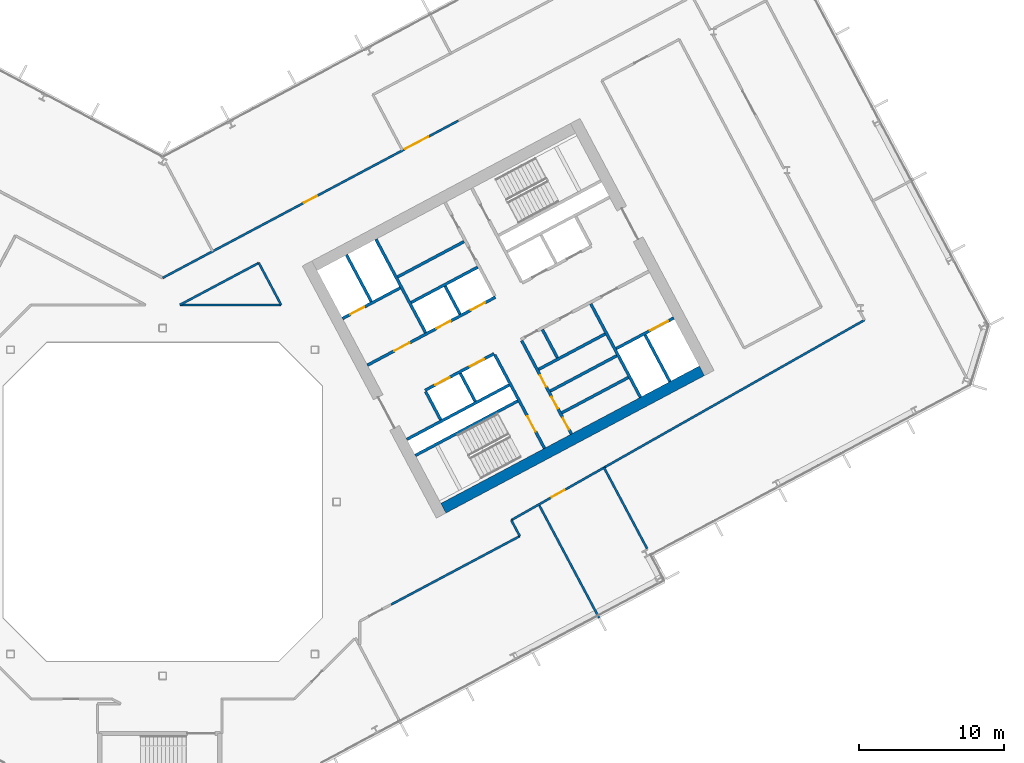
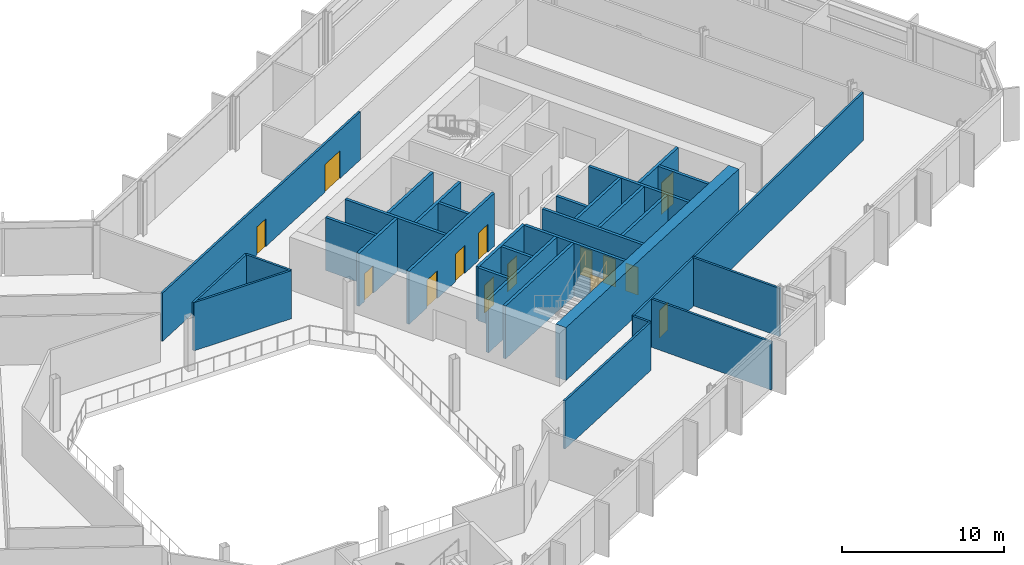
# One storey, part 16 of 28: 32 walls, 14 doors, 14 openings.
"""IFC4 building model written with IfcOpenShell, lengths in metres."""

import ifcopenshell
import ifcopenshell.guid

model = None  # the IFC model being written
_history = None  # IfcOwnerHistory: only IFC2X3 demands one
_inside = {}  # id of a spatial element -> (the spatial element, [elements in it])
_under = {}  # id of a project, library or spatial element -> (it, [spatial elements below it])
_declared = {}  # id of a project -> (the project, [libraries it declares])
_typed = {}  # id of a type object -> (the type object, [elements of that type])
_made_of = {}  # id of a material, layer set ... -> (it, [elements and type objects made of it])


def new_model(schema):
    """Start an empty IFC model of exactly this schema.

    Asked for "IFC4X3", IfcOpenShell would pick the latest addendum, in which some entities
    have other attributes; the version numbers below select the first issue.
    IFC2X3 requires an IfcOwnerHistory on every rooted entity: one is made here for all.
    """
    global model, _history
    if schema == "IFC4X3":
        model = ifcopenshell.file(schema_version=(4, 3, 0, 0))
    else:
        model = ifcopenshell.file(schema=schema)
    _inside.clear()
    _under.clear()
    _declared.clear()
    _typed.clear()
    _made_of.clear()
    _history = None
    if model.schema == "IFC2X3":
        org = make("IfcOrganization", Name="unknown")
        user = make(
            "IfcPersonAndOrganization",
            ThePerson=make("IfcPerson", FamilyName="unknown"),
            TheOrganization=org,
        )
        app = make(
            "IfcApplication",
            ApplicationDeveloper=org,
            Version="unknown",
            ApplicationFullName="unknown",
            ApplicationIdentifier="unknown",
        )
        _history = make(
            "IfcOwnerHistory",
            OwningUser=user,
            OwningApplication=app,
            ChangeAction="ADDED",
            CreationDate=0,
        )
    return model


def make(cls, **values):
    """One entity of the class cls with the attributes given. An attribute that is None is left unset."""
    return model.create_entity(
        cls, **{name: value for name, value in values.items() if value is not None}
    )


def rooted(cls, **values):
    """An entity with a GlobalId (a new one), such as an element, a storey or a relation."""
    return make(cls, GlobalId=ifcopenshell.guid.new(), OwnerHistory=_history, **values)


def si_unit(unit_type, name, prefix=None):
    """IfcSIUnit, for example si_unit("LENGTHUNIT", "METRE", prefix="MILLI")."""
    return make("IfcSIUnit", UnitType=unit_type, Prefix=prefix, Name=name)


def assignment(units):
    """IfcUnitAssignment: the units of a project."""
    return None if units is None else make("IfcUnitAssignment", Units=units)


def point(xyz):
    """IfcCartesianPoint."""
    return None if xyz is None else make("IfcCartesianPoint", Coordinates=xyz)


def direction(xyz):
    """IfcDirection."""
    return None if xyz is None else make("IfcDirection", DirectionRatios=xyz)


def frame(location, z_axis=None, x_axis=None):
    """IfcAxis2Placement3D, a coordinate frame: its origin and axes. An axis left out is left unset."""
    return make(
        "IfcAxis2Placement3D",
        Location=point(location),
        Axis=direction(z_axis),
        RefDirection=direction(x_axis),
    )


def frame_2d(location, x_axis=None):
    """IfcAxis2Placement2D, a coordinate frame in the plane: its origin and x axis."""
    return make(
        "IfcAxis2Placement2D", Location=point(location), RefDirection=direction(x_axis)
    )


def origin():
    """The frame at (0, 0, 0) with its axes left unset."""
    return frame((0.0, 0.0, 0.0))


def place(relative_to, where):
    """IfcLocalPlacement: puts the frame where relative to a parent placement (None: the world)."""
    return make(
        "IfcLocalPlacement", PlacementRelTo=relative_to, RelativePlacement=where
    )


def context(
    kind, dimensions, precision=None, world=None, true_north=None, identifier=None
):
    """IfcGeometricRepresentationContext, for example the 3D "Model" context."""
    return make(
        "IfcGeometricRepresentationContext",
        ContextIdentifier=identifier,
        ContextType=kind,
        CoordinateSpaceDimension=dimensions,
        Precision=precision,
        WorldCoordinateSystem=world,
        TrueNorth=true_north,
    )


def subcontext(parent, identifier, kind, view, scale=None):
    """IfcGeometricRepresentationSubContext, for example "Body" below "Model"."""
    return make(
        "IfcGeometricRepresentationSubContext",
        ContextIdentifier=identifier,
        ContextType=kind,
        ParentContext=parent,
        TargetScale=scale,
        TargetView=view,
    )


def project(units=None, contexts=None):
    """IfcProject with its units and contexts."""
    return rooted(
        "IfcProject",
        Name="project",
        RepresentationContexts=contexts,
        UnitsInContext=assignment(units),
    )


def spatial(cls, under=None, at=None, **own):
    """A site, building, storey or space (cls), placed at a placement, below another one or the project."""
    s = rooted(cls, ObjectPlacement=at, **own)
    if under is not None:
        _under.setdefault(under.id(), (under, []))[1].append(s)
    return s


def profile(cls, at=None, kind="AREA", **sizes):
    """A parametric profile (cls). Its sizes go by their IFC names, for example OverallWidth=200.0."""
    return make(cls, ProfileType=kind, Position=at, **sizes)


def rectangle(**sizes):
    """IfcRectangleProfileDef."""
    return profile("IfcRectangleProfileDef", **sizes)


def extrude(swept, where, along, depth):
    """IfcExtrudedAreaSolid: the profile swept, set in the frame where, extruded along a direction by depth."""
    return make(
        "IfcExtrudedAreaSolid",
        SweptArea=swept,
        Position=where,
        ExtrudedDirection=direction(along),
        Depth=depth,
    )


def shape(context_of_items, identifier, shape_type, items):
    """IfcShapeRepresentation: the items that make up one representation, for example the "Body"."""
    return make(
        "IfcShapeRepresentation",
        ContextOfItems=context_of_items,
        RepresentationIdentifier=identifier,
        RepresentationType=shape_type,
        Items=items,
    )


def material(Name=None, Category=None):
    """IfcMaterial."""
    return make("IfcMaterial", Name=Name, Category=Category)


def layer(
    of_material, thickness, ventilated=None, Name=None, Category=None, Priority=None
):
    """IfcMaterialLayer: one layer of a wall or slab, of a material (None: an air gap)."""
    return make(
        "IfcMaterialLayer",
        Material=of_material,
        LayerThickness=thickness,
        IsVentilated=ventilated,
        Name=Name,
        Category=Category,
        Priority=Priority,
    )


def layer_set(layers, Name=None):
    """IfcMaterialLayerSet."""
    return make("IfcMaterialLayerSet", MaterialLayers=layers, LayerSetName=Name)


def made_of(thing, what):
    """Note that an element or type object is made of a material, layer set ...; save() writes the relation."""
    if what is not None:
        _made_of.setdefault(what.id(), (what, []))[1].append(thing)
    return thing


def type_object(cls, material=None, **own):
    """A type object (cls), such as IfcWallType, which elements share."""
    return made_of(rooted(cls, **own), material)


def element(
    cls,
    number,
    at=None,
    inside=None,
    cuts=None,
    type_object=None,
    material=None,
    context=None,
    identifier="Body",
    shape_type=None,
    held_by="IfcProductDefinitionShape",
    body=None,
    shapes=None,
    **own,
):
    """One element of the class cls, such as IfcWall. Its Tag is "e" and its number.

    at: its placement. inside: the storey or other place that contains it. cuts: it is an
    opening in that element (IfcRelVoidsElement). A single representation is given by context,
    identifier, shape_type and body (its items); several are given by shapes. held_by: the class
    of the entity that holds the representations. save() writes the other relations.
    """
    e = rooted(cls, Tag="e%d" % number, ObjectPlacement=at, **own)
    if body is not None:
        shapes = [shape(context, identifier, shape_type, body)]
    if shapes is not None:
        e.Representation = make(held_by, Representations=shapes)
    if inside is not None:
        _inside.setdefault(inside.id(), (inside, []))[1].append(e)
    if cuts is not None:
        rooted(
            "IfcRelVoidsElement", RelatingBuildingElement=cuts, RelatedOpeningElement=e
        )
    if type_object is not None:
        _typed.setdefault(type_object.id(), (type_object, []))[1].append(e)
    return made_of(e, material)


def fill(opening, filler):
    """IfcRelFillsElement: the door or window that sits in an opening."""
    return rooted(
        "IfcRelFillsElement",
        RelatingOpeningElement=opening,
        RelatedBuildingElement=filler,
    )


def aggregate(whole, parts):
    """IfcRelAggregates: a whole, such as a stair, and the parts it consists of."""
    return rooted("IfcRelAggregates", RelatingObject=whole, RelatedObjects=parts)


def save(model, path):
    """Write the relations noted so far, then the file.

    IfcRelAggregates (storeys below a building ...), IfcRelContainedInSpatialStructure (elements
    in a storey), IfcRelDefinesByType, IfcRelAssociatesMaterial and IfcRelDeclares: one each for
    every whole, place, type object, material and project.
    """
    for whole, parts in _under.values():
        aggregate(whole, parts)
    for where, things in _inside.values():
        rooted(
            "IfcRelContainedInSpatialStructure",
            RelatedElements=things,
            RelatingStructure=where,
        )
    for kind, things in _typed.values():
        rooted("IfcRelDefinesByType", RelatedObjects=things, RelatingType=kind)
    for what, things in _made_of.values():
        rooted("IfcRelAssociatesMaterial", RelatedObjects=things, RelatingMaterial=what)
    for by, libraries in _declared.values():
        rooted("IfcRelDeclares", RelatingContext=by, RelatedDefinitions=libraries)
    model.write(path)


model = new_model("IFC4")

# Units and contexts
model_context = context("Model", 3, precision=1e-05, world=origin(), true_north=direction((0.0, 1.0)))
body_context = subcontext(model_context, "Body", "Model", "MODEL_VIEW")
ifc_project = project(units=[si_unit("LENGTHUNIT", "METRE"), si_unit("AREAUNIT", "SQUARE_METRE"), si_unit("VOLUMEUNIT", "CUBIC_METRE"), si_unit("PLANEANGLEUNIT", "RADIAN"), si_unit("MASSUNIT", "GRAM", prefix="KILO")], contexts=[model_context])

# Site, building, storey
site_placement = place(None, origin())
site = spatial("IfcSite", under=ifc_project, at=site_placement, CompositionType="ELEMENT")
building_placement = place(site_placement, origin())
building = spatial("IfcBuilding", under=site, at=building_placement, Name="Cormorant Relay Tower", CompositionType="ELEMENT")
storey_placement = place(building_placement, frame((0.0, 0.0, 146.199951171875)))
storey = spatial("IfcBuildingStorey", under=building, at=storey_placement, Name="L30", CompositionType="ELEMENT", Elevation=146.199951171875)

# Walls
ifc_material_1 = material(Name="Concrete 40 MPa", Category="concrete")
ifc_layer_1 = layer(ifc_material_1, 0.199951171875)
ifc_layer_set_1 = layer_set([ifc_layer_1], Name="Core internal wall 200")
wall_type_1 = type_object("IfcWallType", Name="Core internal wall 200", PredefinedType="SOLIDWALL", material=ifc_layer_set_1)
for number, where, z_axis, x_axis, name in (
    (1, (21.567626953125, 6.9375, 0.0), (0.0, 0.0, 1.0), (-0.469533832133, 0.882914480843, 0.0), "L30 core B shaft and room wall"),
    (2, (20.522216796875, 12.950439453125, 0.0), (0.0, 0.0, 1.0), (-0.469401318492, 0.882984938828, 0.0), "L30 core B shaft and room wall"),
    (3, (27.236083984375, 9.951416015625, 0.0), (0.0, 0.0, 1.0), (-0.4694473164, 0.882960484464, 0.0), "L30 core B shaft and room wall"),
):
    element("IfcWall", number, at=place(storey_placement, frame(where, z_axis=z_axis, x_axis=x_axis)), inside=storey, type_object=wall_type_1, Name=name, PredefinedType="SOLIDWALL", context=body_context, shape_type="SweptSolid", body=[
        extrude(rectangle(XDim=2.199951171875, YDim=0.199951171875, at=frame_2d((1.10009765625, 0.0))), origin(), (0.0, 0.0, 1.0), 4.0),
    ])
for number, where, z_axis, x_axis, name in (
    (4, (27.537109375, 6.1474609375, 0.0), (0.0, 0.0, 1.0), (0.882934506056, 0.469496174655, 0.0), "L30 core B shaft and room wall"),
    (5, (26.739013671875, 7.6484375, 0.0), (0.0, 0.0, 1.0), (0.882934506056, 0.469496174655, 0.0), "L30 core B shaft and room wall"),
    (6, (16.2080078125, 15.526611328125, 0.0), (0.0, 0.0, 1.0), (0.882953967957, 0.469459572775, 0.0), "L30 core B shaft and room wall"),
):
    element("IfcWall", number, at=place(storey_placement, frame(where, z_axis=z_axis, x_axis=x_axis)), inside=storey, type_object=wall_type_1, Name=name, PredefinedType="SOLIDWALL", context=body_context, shape_type="SweptSolid", body=[
        extrude(rectangle(XDim=5.199951171875, YDim=0.199951171875, at=frame_2d((2.60009765625, 0.0))), origin(), (0.0, 0.0, 1.0), 4.0),
    ])
ifc_material_2 = material(Name="Concrete 50 MPa", Category="concrete")
ifc_layer_2 = layer(ifc_material_2, 0.199951171875)
ifc_layer_set_2 = layer_set([ifc_layer_2], Name="Core shaft wall 200")
wall_type_2 = type_object("IfcWallType", Name="Core shaft wall 200", PredefinedType="SHEAR", material=ifc_layer_set_2)
wall_1_placement = place(storey_placement, frame((14.39404296875, 13.825927734375, 0.0), z_axis=(0.0, 0.0, 1.0), x_axis=(-0.469494272526, 0.882935517501, 0.0)))
element("IfcWall", 7, at=wall_1_placement, inside=storey, type_object=wall_type_2, Name="L30 core B shaft wall", PredefinedType="SHEAR", context=body_context, shape_type="SweptSolid", body=[
    extrude(rectangle(XDim=3.64990234375, YDim=0.199951171875, at=frame_2d((1.824951171875, 0.0))), origin(), (0.0, 0.0, 1.0), 4.0),
])
wall_2_placement = place(storey_placement, frame((19.18359375, 5.669921875, 0.0), z_axis=(0.0, 0.0, 1.0), x_axis=(-0.4694473164, 0.882960484464, 0.0)))
element("IfcWall", 8, at=wall_2_placement, inside=storey, type_object=wall_type_2, Name="L30 core B shaft wall", PredefinedType="SHEAR", context=body_context, shape_type="SweptSolid", body=[
    extrude(rectangle(XDim=2.199951171875, YDim=0.199951171875, at=frame_2d((1.10009765625, 0.0))), origin(), (0.0, 0.0, 1.0), 4.0),
])
wall_3_placement = place(storey_placement, frame((18.138427734375, 11.682861328125, 0.0), z_axis=(0.0, 0.0, 1.0), x_axis=(-0.469480409012, 0.88294288918, 0.0)))
element("IfcWall", 9, at=wall_3_placement, inside=storey, type_object=wall_type_2, Name="L30 core B shaft wall", PredefinedType="SHEAR", context=body_context, shape_type="SweptSolid", body=[
    extrude(rectangle(XDim=7.300048828125, YDim=0.199951171875, at=frame_2d((3.64990234375, 0.0))), origin(), (0.0, 0.0, 1.0), 4.0),
])

# Wall, opening, door
wall_4_placement = place(storey_placement, frame((26.345947265625, 3.701904296875, 0.0), z_axis=(0.0, 0.0, 1.0), x_axis=(-0.469480409012, 0.88294288918, 0.0)))
wall_4 = element("IfcWall", 10, at=wall_4_placement, inside=storey, type_object=wall_type_2, Name="L30 core B shaft wall", PredefinedType="SHEAR", context=body_context, shape_type="SweptSolid", body=[
    extrude(rectangle(XDim=7.300048828125, YDim=0.199951171875, at=frame_2d((3.64990234375, 0.0))), origin(), (0.0, 0.0, 1.0), 4.0),
])
opening_1_placement = place(wall_4_placement, frame((1.300048828125, 0.0, 0.0)))
opening_1 = element("IfcOpeningElement", 11, at=opening_1_placement, cuts=wall_4, Name="Opening CDB-036", PredefinedType="OPENING", context=body_context, shape_type="SweptSolid", body=[
    extrude(rectangle(XDim=1.199951171875, YDim=2.10009765625, at=frame_2d((0.60009765625, 1.050048828125))), frame((0.0, 0.10986328125, 0.0), z_axis=(0.0, -1.0, 0.0), x_axis=(1.0, 0.0, 0.0)), (0.0, 0.0, 1.0), 0.219970703125),
])
ifc_material_3 = material(Name="Steel fire door", Category="steel")
door_type_1 = type_object("IfcDoorType", Name="Core stair door 1200x2100", OperationType="SINGLE_SWING_LEFT", PredefinedType="DOOR", material=ifc_material_3)
door_1_placement = place(opening_1_placement, origin())
door_1 = element("IfcDoor", 12, at=door_1_placement, inside=storey, type_object=door_type_1, Name="Core stair door 1200x2100", OperationType="SINGLE_SWING_RIGHT", OverallHeight=2.10009765625, OverallWidth=1.199951171875, PredefinedType="DOOR", context=body_context, shape_type="SweptSolid", body=[
    extrude(rectangle(XDim=1.199951171875, YDim=2.10009765625, at=frame_2d((0.60009765625, 1.050048828125))), frame((0.0, 0.02490234375, 0.0), z_axis=(0.0, -1.0, 0.0), x_axis=(1.0, 0.0, 0.0)), (0.0, 0.0, 1.0), 0.050048828125),
])
fill(opening_1, door_1)

# Wall, openings, doors
wall_5_placement = place(storey_placement, frame((28.199951171875, 4.687744140625, 0.0), z_axis=(0.0, 0.0, 1.0), x_axis=(-0.469454336211, 0.882956752176, 0.0)))
wall_5 = element("IfcWall", 13, at=wall_5_placement, inside=storey, type_object=wall_type_2, Name="L30 core B shaft wall", PredefinedType="SHEAR", context=body_context, shape_type="SweptSolid", body=[
    extrude(rectangle(XDim=7.300048828125, YDim=0.199951171875, at=frame_2d((3.64990234375, 0.0))), origin(), (0.0, 0.0, 1.0), 4.0),
])
opening_2_placement = place(wall_5_placement, frame((0.35009765625, 0.0, 0.0)))
opening_2 = element("IfcOpeningElement", 14, at=opening_2_placement, cuts=wall_5, Name="Opening CDD-203", PredefinedType="OPENING", context=body_context, shape_type="SweptSolid", body=[
    extrude(rectangle(XDim=0.89990234375, YDim=2.10009765625, at=frame_2d((0.449951171875, 1.050048828125))), frame((0.0, 0.10986328125, 0.0), z_axis=(0.0, -1.0, 0.0), x_axis=(1.0, 0.0, 0.0)), (0.0, 0.0, 1.0), 0.219970703125),
])
opening_3_placement = place(wall_5_placement, frame((2.0, 0.0, 0.0)))
opening_3 = element("IfcOpeningElement", 15, at=opening_3_placement, cuts=wall_5, Name="Opening CDD-204", PredefinedType="OPENING", context=body_context, shape_type="SweptSolid", body=[
    extrude(rectangle(XDim=0.89990234375, YDim=2.10009765625, at=frame_2d((0.449951171875, 1.050048828125))), frame((0.0, 0.10986328125, 0.0), z_axis=(0.0, -1.0, 0.0), x_axis=(1.0, 0.0, 0.0)), (0.0, 0.0, 1.0), 0.219970703125),
])
opening_4_placement = place(wall_5_placement, frame((3.699951171875, 0.0, 0.0)))
opening_4 = element("IfcOpeningElement", 16, at=opening_4_placement, cuts=wall_5, Name="Opening CDD-205", PredefinedType="OPENING", context=body_context, shape_type="SweptSolid", body=[
    extrude(rectangle(XDim=0.89990234375, YDim=2.10009765625, at=frame_2d((0.449951171875, 1.050048828125))), frame((0.0, 0.10986328125, 0.0), z_axis=(0.0, -1.0, 0.0), x_axis=(1.0, 0.0, 0.0)), (0.0, 0.0, 1.0), 0.219970703125),
])
ifc_material_4 = material(Name="Steel fire door", Category="steel")
door_type_2 = type_object("IfcDoorType", Name="Core room door 900x2100", OperationType="SINGLE_SWING_LEFT", PredefinedType="DOOR", material=ifc_material_4)
door_2_placement = place(opening_2_placement, frame((0.89990234375, 0.0, 0.0), z_axis=(0.0, 0.0, 1.0), x_axis=(-1.0, 0.0, 0.0)))
door_2 = element("IfcDoor", 17, at=door_2_placement, inside=storey, type_object=door_type_2, Name="Core room door 900x2100", OperationType="SINGLE_SWING_LEFT", OverallHeight=2.10009765625, OverallWidth=0.89990234375, PredefinedType="DOOR", context=body_context, shape_type="SweptSolid", body=[
    extrude(rectangle(XDim=0.89990234375, YDim=2.10009765625, at=frame_2d((0.449951171875, 1.050048828125))), frame((0.0, 0.02490234375, 0.0), z_axis=(0.0, -1.0, 0.0), x_axis=(1.0, 0.0, 0.0)), (0.0, 0.0, 1.0), 0.050048828125),
])
fill(opening_2, door_2)
door_3_placement = place(opening_3_placement, frame((0.89990234375, 0.0, 0.0), z_axis=(0.0, 0.0, 1.0), x_axis=(-1.0, 0.0, 0.0)))
door_3 = element("IfcDoor", 18, at=door_3_placement, inside=storey, type_object=door_type_2, Name="Core room door 900x2100", OperationType="SINGLE_SWING_LEFT", OverallHeight=2.10009765625, OverallWidth=0.89990234375, PredefinedType="DOOR", context=body_context, shape_type="SweptSolid", body=[
    extrude(rectangle(XDim=0.89990234375, YDim=2.10009765625, at=frame_2d((0.449951171875, 1.050048828125))), frame((0.0, 0.02490234375, 0.0), z_axis=(0.0, -1.0, 0.0), x_axis=(1.0, 0.0, 0.0)), (0.0, 0.0, 1.0), 0.050048828125),
])
fill(opening_3, door_3)
door_4_placement = place(opening_4_placement, frame((0.89990234375, 0.0, 0.0), z_axis=(0.0, 0.0, 1.0), x_axis=(-1.0, 0.0, 0.0)))
door_4 = element("IfcDoor", 19, at=door_4_placement, inside=storey, type_object=door_type_2, Name="Core room door 900x2100", OperationType="SINGLE_SWING_LEFT", OverallHeight=2.10009765625, OverallWidth=0.89990234375, PredefinedType="DOOR", context=body_context, shape_type="SweptSolid", body=[
    extrude(rectangle(XDim=0.89990234375, YDim=2.10009765625, at=frame_2d((0.449951171875, 1.050048828125))), frame((0.0, 0.02490234375, 0.0), z_axis=(0.0, -1.0, 0.0), x_axis=(1.0, 0.0, 0.0)), (0.0, 0.0, 1.0), 0.050048828125),
])
fill(opening_4, door_4)

# Walls
wall_6_placement = place(storey_placement, frame((32.968017578125, 7.222900390625, 0.0), z_axis=(0.0, 0.0, 1.0), x_axis=(-0.469480409012, 0.88294288918, 0.0)))
element("IfcWall", 20, at=wall_6_placement, inside=storey, type_object=wall_type_2, Name="L30 core B shaft wall", PredefinedType="SHEAR", context=body_context, shape_type="SweptSolid", body=[
    extrude(rectangle(XDim=7.300048828125, YDim=0.199951171875, at=frame_2d((3.64990234375, 0.0))), origin(), (0.0, 0.0, 1.0), 4.0),
])
wall_7_placement = place(storey_placement, frame((34.998779296875, 8.302734375, 0.0), z_axis=(0.0, 0.0, 1.0), x_axis=(-0.4694665462, 0.882950260207, 0.0)))
element("IfcWall", 21, at=wall_7_placement, inside=storey, type_object=wall_type_2, Name="L30 core B shaft wall", PredefinedType="SHEAR", context=body_context, shape_type="SweptSolid", body=[
    extrude(rectangle(XDim=3.650146484375, YDim=0.199951171875, at=frame_2d((1.8251953125, 0.0))), origin(), (0.0, 0.0, 1.0), 4.0),
])
wall_8_placement = place(storey_placement, frame((17.43359375, 3.210205078125, 0.0), z_axis=(0.0, 0.0, 1.0), x_axis=(0.882940221191, 0.469485426614, 0.0)))
element("IfcWall", 22, at=wall_8_placement, inside=storey, type_object=wall_type_2, Name="L30 core B shaft wall", PredefinedType="SHEAR", context=body_context, shape_type="SweptSolid", body=[
    extrude(rectangle(XDim=8.0, YDim=0.199951171875, at=frame_2d((4.0, 0.0))), origin(), (0.0, 0.0, 1.0), 4.0),
])

# Wall, opening, door
wall_9_placement = place(storey_placement, frame((31.295654296875, 10.5810546875, 0.0), z_axis=(0.0, 0.0, 1.0), x_axis=(0.882960433586, 0.469447412093, 0.0)))
wall_9 = element("IfcWall", 23, at=wall_9_placement, inside=storey, type_object=wall_type_2, Name="L30 core B shaft wall", PredefinedType="SHEAR", context=body_context, shape_type="SweptSolid", body=[
    extrude(rectangle(XDim=4.5, YDim=0.199951171875, at=frame_2d((2.25, 0.0))), origin(), (0.0, 0.0, 1.0), 4.0),
])
opening_5_placement = place(wall_9_placement, frame((2.64990234375, 0.0, 0.0)))
opening_5 = element("IfcOpeningElement", 24, at=opening_5_placement, cuts=wall_9, Name="Opening LD3-014", PredefinedType="OPENING", context=body_context, shape_type="SweptSolid", body=[
    extrude(rectangle(XDim=1.39990234375, YDim=2.39990234375, at=frame_2d((0.699951171875, 1.199951171875))), frame((0.0, 0.10986328125, 0.0), z_axis=(0.0, -1.0, 0.0), x_axis=(1.0, 0.0, 0.0)), (0.0, 0.0, 1.0), 0.219970703125),
])
ifc_material_5 = material(Name="Stainless steel 316", Category="steel")
door_type_3 = type_object("IfcDoorType", Name="Lift landing door 1400x2400", OperationType="DOUBLE_DOOR_SLIDING", PredefinedType="DOOR", material=ifc_material_5)
door_5_placement = place(opening_5_placement, origin())
door_5 = element("IfcDoor", 25, at=door_5_placement, inside=storey, type_object=door_type_3, Name="SV2 landing door", OperationType="DOUBLE_DOOR_SLIDING", OverallHeight=2.39990234375, OverallWidth=1.39990234375, PredefinedType="DOOR", context=body_context, shape_type="SweptSolid", body=[
    extrude(rectangle(XDim=1.39990234375, YDim=2.39990234375, at=frame_2d((0.699951171875, 1.199951171875))), frame((0.0, 0.02490234375, 0.0), z_axis=(0.0, -1.0, 0.0), x_axis=(1.0, 0.0, 0.0)), (0.0, 0.0, 1.0), 0.050048828125),
])
fill(opening_5, door_5)

# Walls
wall_10_placement = place(storey_placement, frame((16.8466796875, 4.31396484375, 0.0), z_axis=(0.0, 0.0, 1.0), x_axis=(0.882940221191, 0.469485426614, 0.0)))
element("IfcWall", 26, at=wall_10_placement, inside=storey, type_object=wall_type_2, Name="L30 core B shaft wall", PredefinedType="SHEAR", context=body_context, shape_type="SweptSolid", body=[
    extrude(rectangle(XDim=8.0, YDim=0.199951171875, at=frame_2d((4.0, 0.0))), origin(), (0.0, 0.0, 1.0), 4.0),
])
wall_11_placement = place(storey_placement, frame((25.94091796875, 9.149658203125, 0.0), z_axis=(0.0, 0.0, 1.0), x_axis=(0.882953967957, 0.469459572775, 0.0)))
element("IfcWall", 27, at=wall_11_placement, inside=storey, type_object=wall_type_2, Name="L30 core B shaft wall", PredefinedType="SHEAR", context=body_context, shape_type="SweptSolid", body=[
    extrude(rectangle(XDim=5.199951171875, YDim=0.199951171875, at=frame_2d((2.60009765625, 0.0))), origin(), (0.0, 0.0, 1.0), 4.0),
])

# Wall, openings, doors
wall_12_placement = place(storey_placement, frame((18.103759765625, 7.70068359375, 0.0), z_axis=(0.0, 0.0, 1.0), x_axis=(0.882952937579, 0.469461510692, 0.0)))
wall_12 = element("IfcWall", 28, at=wall_12_placement, inside=storey, type_object=wall_type_2, Name="L30 core B shaft wall", PredefinedType="SHEAR", context=body_context, shape_type="SweptSolid", body=[
    extrude(rectangle(XDim=5.400146484375, YDim=0.199951171875, at=frame_2d((2.7001953125, 0.0))), origin(), (0.0, 0.0, 1.0), 4.0),
])
opening_6_placement = place(wall_12_placement, frame((0.800048828125, 0.0, 0.0)))
opening_6 = element("IfcOpeningElement", 29, at=opening_6_placement, cuts=wall_12, Name="Opening LD1-048", PredefinedType="OPENING", context=body_context, shape_type="SweptSolid", body=[
    extrude(rectangle(XDim=1.10009765625, YDim=2.10009765625, at=frame_2d((0.550048828125, 1.050048828125))), frame((0.0, 0.10986328125, 0.0), z_axis=(0.0, -1.0, 0.0), x_axis=(1.0, 0.0, 0.0)), (0.0, 0.0, 1.0), 0.219970703125),
])
opening_7_placement = place(wall_12_placement, frame((3.5, 0.0, 0.0)))
opening_7 = element("IfcOpeningElement", 30, at=opening_7_placement, cuts=wall_12, Name="Opening LD1-049", PredefinedType="OPENING", context=body_context, shape_type="SweptSolid", body=[
    extrude(rectangle(XDim=1.10009765625, YDim=2.10009765625, at=frame_2d((0.550048828125, 1.050048828125))), frame((0.0, 0.10986328125, 0.0), z_axis=(0.0, -1.0, 0.0), x_axis=(1.0, 0.0, 0.0)), (0.0, 0.0, 1.0), 0.219970703125),
])
ifc_material_6 = material(Name="Stainless steel 316", Category="steel")
door_type_4 = type_object("IfcDoorType", Name="Lift landing door 1100x2100", OperationType="DOUBLE_DOOR_SLIDING", PredefinedType="DOOR", material=ifc_material_6)
door_6_placement = place(opening_6_placement, origin())
door_6 = element("IfcDoor", 31, at=door_6_placement, inside=storey, type_object=door_type_4, Name="LR5 landing door", OperationType="DOUBLE_DOOR_SLIDING", OverallHeight=2.10009765625, OverallWidth=1.10009765625, PredefinedType="DOOR", context=body_context, shape_type="SweptSolid", body=[
    extrude(rectangle(XDim=1.10009765625, YDim=2.10009765625, at=frame_2d((0.550048828125, 1.050048828125))), frame((0.0, 0.02490234375, 0.0), z_axis=(0.0, -1.0, 0.0), x_axis=(1.0, 0.0, 0.0)), (0.0, 0.0, 1.0), 0.050048828125),
])
fill(opening_6, door_6)
door_7_placement = place(opening_7_placement, origin())
door_7 = element("IfcDoor", 32, at=door_7_placement, inside=storey, type_object=door_type_4, Name="LR6 landing door", OperationType="DOUBLE_DOOR_SLIDING", OverallHeight=2.10009765625, OverallWidth=1.10009765625, PredefinedType="DOOR", context=body_context, shape_type="SweptSolid", body=[
    extrude(rectangle(XDim=1.10009765625, YDim=2.10009765625, at=frame_2d((0.550048828125, 1.050048828125))), frame((0.0, 0.02490234375, 0.0), z_axis=(0.0, -1.0, 0.0), x_axis=(1.0, 0.0, 0.0)), (0.0, 0.0, 1.0), 0.050048828125),
])
fill(opening_7, door_7)

wall_13_placement = place(storey_placement, frame((14.123779296875, 9.43505859375, 0.0), z_axis=(0.0, 0.0, 1.0), x_axis=(0.882940221191, 0.469485426614, 0.0)))
wall_13 = element("IfcWall", 33, at=wall_13_placement, inside=storey, type_object=wall_type_2, Name="L30 core B shaft wall", PredefinedType="SHEAR", context=body_context, shape_type="SweptSolid", body=[
    extrude(rectangle(XDim=10.0, YDim=0.199951171875, at=frame_2d((5.0, 0.0))), origin(), (0.0, 0.0, 1.0), 4.0),
])
opening_8_placement = place(wall_13_placement, frame((2.10009765625, 0.0, 0.0)))
opening_8 = element("IfcOpeningElement", 34, at=opening_8_placement, cuts=wall_13, Name="Opening CDC-027", PredefinedType="OPENING", context=body_context, shape_type="SweptSolid", body=[
    extrude(rectangle(XDim=1.199951171875, YDim=2.10009765625, at=frame_2d((0.60009765625, 1.050048828125))), frame((0.0, 0.10986328125, 0.0), z_axis=(0.0, -1.0, 0.0), x_axis=(1.0, 0.0, 0.0)), (0.0, 0.0, 1.0), 0.219970703125),
])
opening_9_placement = place(wall_13_placement, frame((5.39990234375, 0.0, 0.0)))
opening_9 = element("IfcOpeningElement", 35, at=opening_9_placement, cuts=wall_13, Name="Opening LD1-044", PredefinedType="OPENING", context=body_context, shape_type="SweptSolid", body=[
    extrude(rectangle(XDim=1.10009765625, YDim=2.10009765625, at=frame_2d((0.550048828125, 1.050048828125))), frame((0.0, 0.10986328125, 0.0), z_axis=(0.0, -1.0, 0.0), x_axis=(1.0, 0.0, 0.0)), (0.0, 0.0, 1.0), 0.219970703125),
])
opening_10_placement = place(wall_13_placement, frame((8.10009765625, 0.0, 0.0)))
opening_10 = element("IfcOpeningElement", 36, at=opening_10_placement, cuts=wall_13, Name="Opening LD1-045", PredefinedType="OPENING", context=body_context, shape_type="SweptSolid", body=[
    extrude(rectangle(XDim=1.10009765625, YDim=2.10009765625, at=frame_2d((0.550048828125, 1.050048828125))), frame((0.0, 0.10986328125, 0.0), z_axis=(0.0, -1.0, 0.0), x_axis=(1.0, 0.0, 0.0)), (0.0, 0.0, 1.0), 0.219970703125),
])
ifc_material_7 = material(Name="Steel fire door", Category="steel")
door_type_5 = type_object("IfcDoorType", Name="Core lobby door 1200x2100", OperationType="SINGLE_SWING_LEFT", PredefinedType="DOOR", material=ifc_material_7)
door_8_placement = place(opening_8_placement, origin())
door_8 = element("IfcDoor", 37, at=door_8_placement, inside=storey, type_object=door_type_5, Name="Core lobby door 1200x2100", OperationType="SINGLE_SWING_RIGHT", OverallHeight=2.10009765625, OverallWidth=1.199951171875, PredefinedType="DOOR", context=body_context, shape_type="SweptSolid", body=[
    extrude(rectangle(XDim=1.199951171875, YDim=2.10009765625, at=frame_2d((0.60009765625, 1.050048828125))), frame((0.0, 0.02490234375, 0.0), z_axis=(0.0, -1.0, 0.0), x_axis=(1.0, 0.0, 0.0)), (0.0, 0.0, 1.0), 0.050048828125),
])
fill(opening_8, door_8)
door_9_placement = place(opening_9_placement, origin())
door_9 = element("IfcDoor", 38, at=door_9_placement, inside=storey, type_object=door_type_4, Name="LR1 landing door", OperationType="DOUBLE_DOOR_SLIDING", OverallHeight=2.10009765625, OverallWidth=1.10009765625, PredefinedType="DOOR", context=body_context, shape_type="SweptSolid", body=[
    extrude(rectangle(XDim=1.10009765625, YDim=2.10009765625, at=frame_2d((0.550048828125, 1.050048828125))), frame((0.0, 0.02490234375, 0.0), z_axis=(0.0, -1.0, 0.0), x_axis=(1.0, 0.0, 0.0)), (0.0, 0.0, 1.0), 0.050048828125),
])
fill(opening_9, door_9)
door_10_placement = place(opening_10_placement, origin())
door_10 = element("IfcDoor", 39, at=door_10_placement, inside=storey, type_object=door_type_4, Name="LR2 landing door", OperationType="DOUBLE_DOOR_SLIDING", OverallHeight=2.10009765625, OverallWidth=1.10009765625, PredefinedType="DOOR", context=body_context, shape_type="SweptSolid", body=[
    extrude(rectangle(XDim=1.10009765625, YDim=2.10009765625, at=frame_2d((0.550048828125, 1.050048828125))), frame((0.0, 0.02490234375, 0.0), z_axis=(0.0, -1.0, 0.0), x_axis=(1.0, 0.0, 0.0)), (0.0, 0.0, 1.0), 0.050048828125),
])
fill(opening_10, door_10)

# Wall
wall_14_placement = place(storey_placement, frame((17.146728515625, 13.7607421875, 0.0), z_axis=(0.0, 0.0, 1.0), x_axis=(0.882964314875, 0.469440111896, 0.0)))
element("IfcWall", 40, at=wall_14_placement, inside=storey, type_object=wall_type_2, Name="L30 core B shaft wall", PredefinedType="SHEAR", context=body_context, shape_type="SweptSolid", body=[
    extrude(rectangle(XDim=5.2001953125, YDim=0.199951171875, at=frame_2d((2.60009765625, 0.0))), origin(), (0.0, 0.0, 1.0), 4.0),
])

# Wall, opening, door
wall_15_placement = place(storey_placement, frame((12.41015625, 12.657958984375, 0.0), z_axis=(0.0, 0.0, 1.0), x_axis=(0.8829484765, 0.469469900894, 0.0)))
wall_15 = element("IfcWall", 41, at=wall_15_placement, inside=storey, type_object=wall_type_2, Name="L30 core B shaft wall", PredefinedType="SHEAR", context=body_context, shape_type="SweptSolid", body=[
    extrude(rectangle(XDim=4.499755859375, YDim=0.199951171875, at=frame_2d((2.25, 0.0))), origin(), (0.0, 0.0, 1.0), 4.0),
])
opening_11_placement = place(wall_15_placement, frame((0.60009765625, 0.0, 0.0)))
opening_11 = element("IfcOpeningElement", 42, at=opening_11_placement, cuts=wall_15, Name="Opening LD1-050", PredefinedType="OPENING", context=body_context, shape_type="SweptSolid", body=[
    extrude(rectangle(XDim=1.10009765625, YDim=2.10009765625, at=frame_2d((0.550048828125, 1.050048828125))), frame((0.0, 0.10986328125, 0.0), z_axis=(0.0, -1.0, 0.0), x_axis=(1.0, 0.0, 0.0)), (0.0, 0.0, 1.0), 0.219970703125),
])
door_11_placement = place(opening_11_placement, origin())
door_11 = element("IfcDoor", 43, at=door_11_placement, inside=storey, type_object=door_type_4, Name="FF2 landing door", OperationType="DOUBLE_DOOR_SLIDING", OverallHeight=2.10009765625, OverallWidth=1.10009765625, PredefinedType="DOOR", context=body_context, shape_type="SweptSolid", body=[
    extrude(rectangle(XDim=1.10009765625, YDim=2.10009765625, at=frame_2d((0.550048828125, 1.050048828125))), frame((0.0, 0.02490234375, 0.0), z_axis=(0.0, -1.0, 0.0), x_axis=(1.0, 0.0, 0.0)), (0.0, 0.0, 1.0), 0.050048828125),
])
fill(opening_11, door_11)

# Wall
ifc_material_8 = material(Name="Concrete 60 MPa", Category="concrete")
ifc_layer_3 = layer(ifc_material_8, 0.75)
ifc_layer_set_3 = layer_set([ifc_layer_3], Name="Core wall 750")
wall_type_3 = type_object("IfcWallType", Name="Core wall 750", PredefinedType="SHEAR", material=ifc_layer_set_3)
wall_16_placement = place(storey_placement, frame((19.3701171875, -0.431884765625, 0.0), z_axis=(0.0, 0.0, 1.0), x_axis=(0.88294509198, 0.469476266226, 0.0)))
element("IfcWall", 44, at=wall_16_placement, inside=storey, type_object=wall_type_3, Name="L30 core B wall", PredefinedType="SHEAR", context=body_context, shape_type="SweptSolid", body=[
    extrude(rectangle(XDim=20.199951171875, YDim=0.75, at=frame_2d((10.10009765625, 0.0))), origin(), (0.0, 0.0, 1.0), 4.0),
])

# Wall, openings, doors
ifc_material_9 = material(Name="Gypsum board fire partition")
ifc_layer_4 = layer(ifc_material_9, 0.14990234375)
ifc_layer_set_4 = layer_set([ifc_layer_4], Name="Corridor partition 150 EI 60")
wall_type_4 = type_object("IfcWallType", Name="Corridor partition 150 EI 60", PredefinedType="PARTITIONING", material=ifc_layer_set_4)
wall_17_placement = place(storey_placement, frame((0.0, 15.4599609375, 0.0), z_axis=(0.0, 0.0, 1.0), x_axis=(0.882944798935, 0.469476817355, 0.0)))
wall_17 = element("IfcWall", 45, at=wall_17_placement, inside=storey, type_object=wall_type_4, Name="wall/L30/part/033", PredefinedType="PARTITIONING", context=body_context, shape_type="SweptSolid", body=[
    extrude(rectangle(XDim=23.10693359375, YDim=0.14990234375, at=frame_2d((11.553466796875, 0.0))), origin(), (0.0, 0.0, 1.0), 3.64013671875),
])
opening_12_placement = place(wall_17_placement, frame((18.949951171875, 0.0, 0.0)))
opening_12 = element("IfcOpeningElement", 46, at=opening_12_placement, cuts=wall_17, Name="Opening DD-011", PredefinedType="OPENING", context=body_context, shape_type="SweptSolid", body=[
    extrude(rectangle(XDim=1.800048828125, YDim=2.10009765625, at=frame_2d((0.89990234375, 1.050048828125))), frame((0.0, 0.0849609375, 0.0), z_axis=(0.0, -1.0, 0.0), x_axis=(1.0, 0.0, 0.0)), (0.0, 0.0, 1.0), 0.169921875),
])
opening_13_placement = place(wall_17_placement, frame((11.050048828125, 0.0, 0.0)))
opening_13 = element("IfcOpeningElement", 47, at=opening_13_placement, cuts=wall_17, Name="Opening DS-039", PredefinedType="OPENING", context=body_context, shape_type="SweptSolid", body=[
    extrude(rectangle(XDim=1.0, YDim=2.10009765625, at=frame_2d((0.5, 1.050048828125))), frame((0.0, 0.0849609375, 0.0), z_axis=(0.0, -1.0, 0.0), x_axis=(1.0, 0.0, 0.0)), (0.0, 0.0, 1.0), 0.169921875),
])
ifc_material_10 = material(Name="Timber door leaf", Category="wood")
door_type_6 = type_object("IfcDoorType", Name="Suite door 1000x2100", OperationType="SINGLE_SWING_LEFT", PredefinedType="DOOR", material=ifc_material_10)
door_12_placement = place(opening_13_placement, origin())
door_12 = element("IfcDoor", 48, at=door_12_placement, inside=storey, type_object=door_type_6, Name="door/L30/008", OperationType="SINGLE_SWING_LEFT", OverallHeight=2.10009765625, OverallWidth=1.0, PredefinedType="DOOR", context=body_context, shape_type="SweptSolid", body=[
    extrude(rectangle(XDim=1.0, YDim=2.10009765625, at=frame_2d((0.5, 1.050048828125))), frame((0.0, 0.02490234375, 0.0), z_axis=(0.0, -1.0, 0.0), x_axis=(1.0, 0.0, 0.0)), (0.0, 0.0, 1.0), 0.050048828125),
])
fill(opening_13, door_12)
ifc_material_11 = material(Name="Timber door leaf", Category="wood")
door_type_7 = type_object("IfcDoorType", Name="Suite double door 1800x2100", OperationType="DOUBLE_DOOR_SINGLE_SWING", PredefinedType="DOOR", material=ifc_material_11)
door_13_placement = place(opening_12_placement, origin())
door_13 = element("IfcDoor", 49, at=door_13_placement, inside=storey, type_object=door_type_7, Name="door/L30/007", OperationType="DOUBLE_DOOR_SINGLE_SWING", OverallHeight=2.10009765625, OverallWidth=1.800048828125, PredefinedType="DOOR", context=body_context, shape_type="SweptSolid", body=[
    extrude(rectangle(XDim=1.800048828125, YDim=2.10009765625, at=frame_2d((0.89990234375, 1.050048828125))), frame((0.0, 0.02490234375, 0.0), z_axis=(0.0, -1.0, 0.0), x_axis=(1.0, 0.0, 0.0)), (0.0, 0.0, 1.0), 0.050048828125),
])
fill(opening_12, door_13)

# Walls
wall_18_placement = place(storey_placement, frame((24.054931640625, -1.2548828125, 0.0), z_axis=(0.0, 0.0, 1.0), x_axis=(0.469279071809, -0.883049915216, 0.0)))
element("IfcWall", 50, at=wall_18_placement, inside=storey, type_object=wall_type_4, Name="wall/L30/part/050", PredefinedType="PARTITIONING", context=body_context, shape_type="SweptSolid", body=[
    extrude(rectangle(XDim=1.2490234375, YDim=0.14990234375, at=frame_2d((0.62451171875, 0.0))), origin(), (0.0, 0.0, 1.0), 3.64013671875),
])
wall_19_placement = place(storey_placement, frame((24.64111328125, -2.35791015625, 0.0), z_axis=(0.0, 0.0, 1.0), x_axis=(-0.882963445944, -0.469441746255, 0.0)))
element("IfcWall", 51, at=wall_19_placement, inside=storey, type_object=wall_type_4, Name="wall/L30/part/051", PredefinedType="PARTITIONING", context=body_context, shape_type="SweptSolid", body=[
    extrude(rectangle(XDim=10.05029296875, YDim=0.14990234375, at=frame_2d((5.025146484375, 0.0))), origin(), (0.0, 0.0, 1.0), 3.64013671875),
])

# Wall, opening, door
wall_20_placement = place(storey_placement, frame((30.5419921875, 2.422119140625, 0.0), z_axis=(0.0, 0.0, 1.0), x_axis=(-0.870052610738, -0.492958877136, 0.0)))
wall_20 = element("IfcWall", 52, at=wall_20_placement, inside=storey, type_object=wall_type_4, Name="wall/L30/part/059", PredefinedType="PARTITIONING", context=body_context, shape_type="SweptSolid", body=[
    extrude(rectangle(XDim=7.45703125, YDim=0.14990234375, at=frame_2d((3.728515625, 0.0))), origin(), (0.0, 0.0, 1.0), 3.64013671875),
])
opening_14_placement = place(wall_20_placement, frame((3.25, 0.0, 0.0)))
opening_14 = element("IfcOpeningElement", 53, at=opening_14_placement, cuts=wall_20, Name="Opening DS-038", PredefinedType="OPENING", context=body_context, shape_type="SweptSolid", body=[
    extrude(rectangle(XDim=1.0, YDim=2.10009765625, at=frame_2d((0.5, 1.050048828125))), frame((0.0, 0.0849609375, 0.0), z_axis=(0.0, -1.0, 0.0), x_axis=(1.0, 0.0, 0.0)), (0.0, 0.0, 1.0), 0.169921875),
])
door_14_placement = place(opening_14_placement, origin())
door_14 = element("IfcDoor", 54, at=door_14_placement, inside=storey, type_object=door_type_6, Name="door/L30/005", OperationType="SINGLE_SWING_RIGHT", OverallHeight=2.10009765625, OverallWidth=1.0, PredefinedType="DOOR", context=body_context, shape_type="SweptSolid", body=[
    extrude(rectangle(XDim=1.0, YDim=2.10009765625, at=frame_2d((0.5, 1.050048828125))), frame((0.0, 0.02490234375, 0.0), z_axis=(0.0, -1.0, 0.0), x_axis=(1.0, 0.0, 0.0)), (0.0, 0.0, 1.0), 0.050048828125),
])
fill(opening_14, door_14)

# Walls
wall_21_placement = place(storey_placement, frame((48.425048828125, 12.552978515625, 0.0), z_axis=(0.0, 0.0, 1.0), x_axis=(-0.870082130953, -0.492906771506, 0.0)))
element("IfcWall", 55, at=wall_21_placement, inside=storey, type_object=wall_type_4, Name="wall/L30/part/064", PredefinedType="PARTITIONING", context=body_context, shape_type="SweptSolid", body=[
    extrude(rectangle(XDim=20.55322265625, YDim=0.14990234375, at=frame_2d((10.276611328125, 0.0))), origin(), (0.0, 0.0, 1.0), 3.64013671875),
])
wall_22_placement = place(storey_placement, frame((1.18896484375, 13.60009765625, 0.0), z_axis=(0.0, 0.0, 1.0), x_axis=(1.0, 0.0, 0.0)))
element("IfcWall", 56, at=wall_22_placement, inside=storey, type_object=wall_type_4, Name="wall/L30/part/075", PredefinedType="PARTITIONING", context=body_context, shape_type="SweptSolid", body=[
    extrude(rectangle(XDim=6.983154296875, YDim=0.14990234375, at=frame_2d((3.49169921875, 0.0))), origin(), (0.0, 0.0, 1.0), 3.64013671875),
])
wall_23_placement = place(storey_placement, frame((8.172119140625, 13.60009765625, 0.0), z_axis=(0.0, 0.0, 1.0), x_axis=(-0.4694129048, 0.882978779364, 0.0)))
element("IfcWall", 57, at=wall_23_placement, inside=storey, type_object=wall_type_4, Name="wall/L30/part/076", PredefinedType="PARTITIONING", context=body_context, shape_type="SweptSolid", body=[
    extrude(rectangle(XDim=3.27880859375, YDim=0.14990234375, at=frame_2d((1.639404296875, 0.0))), origin(), (0.0, 0.0, 1.0), 3.64013671875),
])
wall_24_placement = place(storey_placement, frame((6.633056640625, 16.4951171875, 0.0), z_axis=(0.0, 0.0, 1.0), x_axis=(-0.882924427048, -0.469515128747, 0.0)))
element("IfcWall", 58, at=wall_24_placement, inside=storey, type_object=wall_type_4, Name="wall/L30/part/077", PredefinedType="PARTITIONING", context=body_context, shape_type="SweptSolid", body=[
    extrude(rectangle(XDim=6.166015625, YDim=0.14990234375, at=frame_2d((3.0830078125, 0.0))), origin(), (0.0, 0.0, 1.0), 3.64013671875),
])
ifc_material_12 = material(Name="Gypsum board partition")
ifc_layer_5 = layer(ifc_material_12, 0.14990234375)
ifc_layer_set_5 = layer_set([ifc_layer_5], Name="Tenant partition 150")
wall_type_5 = type_object("IfcWallType", Name="Tenant partition 150", PredefinedType="PARTITIONING", material=ifc_layer_set_5)
wall_25_placement = place(storey_placement, frame((25.955078125, -0.177001953125, 0.0), z_axis=(0.0, 0.0, 1.0), x_axis=(0.4693761959, -0.882998293726, 0.0)))
element("IfcWall", 59, at=wall_25_placement, inside=storey, type_object=wall_type_5, Name="wall/L30/part/058", PredefinedType="PARTITIONING", context=body_context, shape_type="SweptSolid", body=[
    extrude(rectangle(XDim=8.8583984375, YDim=0.14990234375, at=frame_2d((4.42919921875, 0.0))), origin(), (0.0, 0.0, 1.0), 3.64013671875),
])
wall_26_placement = place(storey_placement, frame((30.451904296875, 2.37109375, 0.0), z_axis=(0.0, 0.0, 1.0), x_axis=(0.469442025079, -0.882963297703, 0.0)))
element("IfcWall", 60, at=wall_26_placement, inside=storey, type_object=wall_type_5, Name="wall/L30/part/060", PredefinedType="PARTITIONING", context=body_context, shape_type="SweptSolid", body=[
    extrude(rectangle(XDim=6.347900390625, YDim=0.14990234375, at=frame_2d((3.173828125, 0.0))), origin(), (0.0, 0.0, 1.0), 3.64013671875),
])

save(model, "model.ifc")
